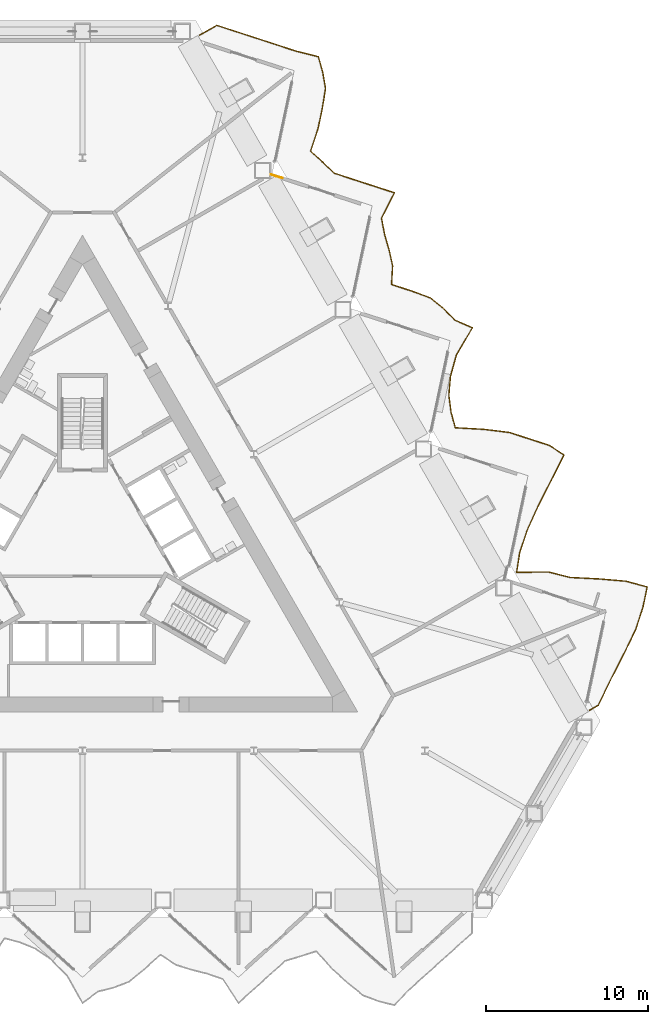
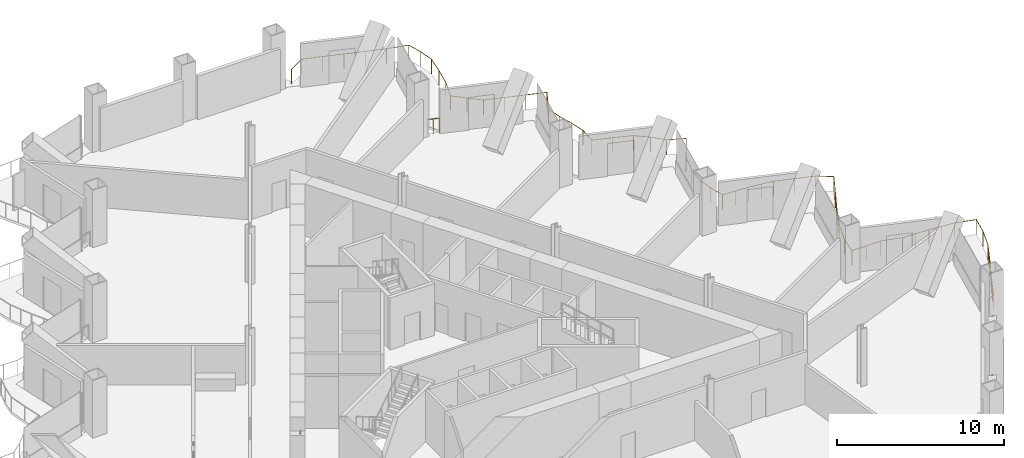
# One storey, part 20 of 22: 2 railings.
"""IFC4 building model written with IfcOpenShell, lengths in metres."""

from ifc_helpers import new_model, si_unit, direction, frame, origin, origin_2d, place, context, subcontext, project, spatial, circle, extrude, material, type_object, element, save


model = new_model("IFC4")

# Units and contexts
model_context = context("Model", 3, precision=1e-05, world=origin(), true_north=direction((0.0, 1.0)))
body_context = subcontext(model_context, "Body", "Model", "MODEL_VIEW")
ifc_project = project(units=[si_unit("LENGTHUNIT", "METRE"), si_unit("AREAUNIT", "SQUARE_METRE"), si_unit("VOLUMEUNIT", "CUBIC_METRE"), si_unit("PLANEANGLEUNIT", "RADIAN"), si_unit("MASSUNIT", "GRAM", prefix="KILO")], contexts=[model_context])

# Site, building, storey
site_placement = place(None, origin())
site = spatial("IfcSite", under=ifc_project, at=site_placement, CompositionType="ELEMENT")
building_placement = place(site_placement, origin())
building = spatial("IfcBuilding", under=site, at=building_placement, Name="Cormorant Prow Tower", CompositionType="ELEMENT")
storey_placement = place(building_placement, frame((0.0, 0.0, 30.0)))
storey = spatial("IfcBuildingStorey", under=building, at=storey_placement, Name="L05", CompositionType="ELEMENT", Elevation=30.0)

# Railings
ifc_material_1 = material(Name="Aluminium 6063-T6", Category="aluminium")
railing_type_1 = type_object("IfcRailingType", Name="Balcony guard 1100", PredefinedType="GUARDRAIL", material=ifc_material_1)
railing_1_placement = place(storey_placement, frame((31.3291015625, -9.726318359375, 0.0)))
element("IfcRailing", 1, at=railing_1_placement, inside=storey, type_object=railing_type_1, Name="Balcony guard ENE", PredefinedType="GUARDRAIL", context=body_context, shape_type="SweptSolid", body=[
    extrude(circle(Radius=0.02392578125, at=origin_2d()), frame((0.0, 0.0, 1.076171875), z_axis=(0.865942655036, 0.500143297656, 0.0), x_axis=(-0.500143297656, 0.865942655036, 0.0)), (0.0, 0.0, 1.0), 0.635986328125),
    extrude(circle(Radius=0.02392578125, at=origin_2d()), frame((0.55078125, 0.318115234375, 1.076171875), z_axis=(0.433209595953, 0.901293207549, 0.0), x_axis=(-0.901293207549, 0.433209595953, 0.0)), (0.0, 0.0, 1.0), 1.708251953125),
    extrude(circle(Radius=0.02392578125, at=origin_2d()), frame((1.290771484375, 1.857666015625, 1.076171875), z_axis=(0.457496743502, 0.889211296422, 0.0), x_axis=(-0.889211296422, 0.457496743502, 0.0)), (0.0, 0.0, 1.0), 1.7802734375),
    extrude(circle(Radius=0.02392578125, at=origin_2d()), frame((2.105224609375, 3.440673828125, 1.076171875), z_axis=(0.437074654476, 0.899425231142, 0.0), x_axis=(-0.899425231142, 0.437074654476, 0.0)), (0.0, 0.0, 1.0), 1.71923828125),
    extrude(circle(Radius=0.02392578125, at=origin_2d()), frame((2.856689453125, 4.987060546875, 1.076171875), z_axis=(0.310176960203, 0.950678838178, 0.0), x_axis=(-0.950678838178, 0.310176960203, 0.0)), (0.0, 0.0, 1.0), 1.44189453125),
    extrude(circle(Radius=0.02392578125, at=origin_2d()), frame((3.303955078125, 6.35791015625, 1.076171875), z_axis=(0.207908306761, 0.978148320031, 0.0), x_axis=(-0.978148320031, 0.207908306761, 0.0)), (0.0, 0.0, 1.0), 1.29638671875),
    extrude(circle(Radius=0.02392578125, at=origin_2d()), frame((3.573486328125, 7.6259765625, 1.076171875), z_axis=(-0.965501304987, 0.260398214412, 0.0), x_axis=(-0.260398214412, -0.965501304987, 0.0)), (0.0, 0.0, 1.0), 1.3603515625),
    extrude(circle(Radius=0.02392578125, at=origin_2d()), frame((2.260009765625, 7.980224609375, 1.076171875), z_axis=(-0.996333593966, 0.085553313992, 0.0), x_axis=(-0.085553313992, -0.996333593966, 0.0)), (0.0, 0.0, 1.0), 1.68359375),
    extrude(circle(Radius=0.02392578125, at=origin_2d()), frame((0.58251953125, 8.124267578125, 1.076171875), z_axis=(-0.998783316969, 0.049314153595, 0.0), x_axis=(-0.049314153595, -0.998783316969, 0.0)), (0.0, 0.0, 1.0), 1.77734375),
    extrude(circle(Radius=0.02392578125, at=origin_2d()), frame((-1.192626953125, 8.2119140625, 1.076171875), z_axis=(-0.968762138829, 0.247991770774, 0.0), x_axis=(-0.247991770774, -0.968762138829, 0.0)), (0.0, 0.0, 1.0), 1.378173828125),
    extrude(circle(Radius=0.02392578125, at=origin_2d()), frame((-2.52783203125, 8.5537109375, 1.076171875), z_axis=(-0.999927590389, -0.012033868023, 0.0), x_axis=(0.012033868023, -0.999927590389, 0.0)), (0.0, 0.0, 1.0), 1.968017578125),
    extrude(circle(Radius=0.02392578125, at=origin_2d()), frame((-4.49560546875, 8.530029296875, 1.076171875), z_axis=(0.151433219563, 0.98846749062, 0.0), x_axis=(-0.98846749062, 0.151433219563, 0.0)), (0.0, 0.0, 1.0), 1.23486328125),
    extrude(circle(Radius=0.02392578125, at=origin_2d()), frame((-4.30859375, 9.750732421875, 1.076171875), z_axis=(0.316832472122, 0.948481515165, 0.0), x_axis=(-0.948481515165, 0.316832472122, 0.0)), (0.0, 0.0, 1.0), 1.453369140625),
    extrude(circle(Radius=0.02392578125, at=origin_2d()), frame((-3.84814453125, 11.129150390625, 1.076171875), z_axis=(0.413591935436, 0.910462361079, 0.0), x_axis=(-0.910462361079, 0.413591935436, 0.0)), (0.0, 0.0, 1.0), 1.65625),
    extrude(circle(Radius=0.02392578125, at=origin_2d()), frame((-3.1630859375, 12.63720703125, 1.076171875), z_axis=(0.454425676399, 0.89078465671, 0.0), x_axis=(-0.89078465671, 0.454425676399, 0.0)), (0.0, 0.0, 1.0), 1.770263671875),
    extrude(circle(Radius=0.02392578125, at=origin_2d()), frame((-2.358642578125, 14.214111328125, 1.076171875), z_axis=(0.449160567011, 0.893451053524, 0.0), x_axis=(-0.893451053524, 0.449160567011, 0.0)), (0.0, 0.0, 1.0), 1.754638671875),
    extrude(circle(Radius=0.02392578125, at=origin_2d()), frame((-1.570556640625, 15.78173828125, 1.076171875), z_axis=(-0.838490048376, 0.544916909973, 0.0), x_axis=(-0.544916909973, -0.838490048376, 0.0)), (0.0, 0.0, 1.0), 1.0810546875),
    extrude(circle(Radius=0.02392578125, at=origin_2d()), frame((-2.47705078125, 16.370849609375, 1.076171875), z_axis=(-0.951065889289, 0.308988145778, 0.0), x_axis=(-0.308988145778, -0.951065889289, 0.0)), (0.0, 0.0, 1.0), 1.296630859375),
    extrude(circle(Radius=0.02392578125, at=origin_2d()), frame((-3.710205078125, 16.771484375, 1.076171875), z_axis=(-0.951065889289, 0.308988145778, 0.0), x_axis=(-0.308988145778, -0.951065889289, 0.0)), (0.0, 0.0, 1.0), 1.296630859375),
    extrude(circle(Radius=0.02392578125, at=origin_2d()), frame((-4.943359375, 17.172119140625, 1.076171875), z_axis=(-0.992549927024, 0.121838591441, 0.0), x_axis=(-0.121838591441, -0.992549927024, 0.0)), (0.0, 0.0, 1.0), 1.60107421875),
    extrude(circle(Radius=0.02392578125, at=origin_2d()), frame((-6.532470703125, 17.3671875, 1.076171875), z_axis=(-0.998435492424, 0.055915717544, 0.0), x_axis=(-0.055915717544, -0.998435492424, 0.0)), (0.0, 0.0, 1.0), 1.759521484375),
    extrude(circle(Radius=0.02392578125, at=origin_2d()), frame((-8.289306640625, 17.465576171875, 1.076171875), z_axis=(-0.262433124838, 0.964950182646, 0.0), x_axis=(-0.964950182646, -0.262433124838, 0.0)), (0.0, 0.0, 1.0), 0.996337890625),
    extrude(circle(Radius=0.02392578125, at=origin_2d()), frame((-8.55078125, 18.427001953125, 1.076171875), z_axis=(-0.128899126816, 0.991657710657, 0.0), x_axis=(-0.991657710657, -0.128899126816, 0.0)), (0.0, 0.0, 1.0), 1.043701171875),
    extrude(circle(Radius=0.02392578125, at=origin_2d()), frame((-8.685302734375, 19.4619140625, 1.076171875), z_axis=(0.081476069747, 0.996675298208, 0.0), x_axis=(-0.996675298208, 0.081476069747, 0.0)), (0.0, 0.0, 1.0), 1.171630859375),
    extrude(circle(Radius=0.02392578125, at=origin_2d()), frame((-8.58984375, 20.629638671875, 1.076171875), z_axis=(0.268247725454, 0.963349966413, 0.0), x_axis=(-0.963349966413, 0.268247725454, 0.0)), (0.0, 0.0, 1.0), 1.376220703125),
    extrude(circle(Radius=0.02392578125, at=origin_2d()), frame((-8.220703125, 21.955322265625, 1.076171875), z_axis=(0.506774332151, 0.862078752941, 0.0), x_axis=(-0.862078752941, 0.506774332151, 0.0)), (0.0, 0.0, 1.0), 1.95361328125),
    extrude(circle(Radius=0.02392578125, at=origin_2d()), frame((-7.230712890625, 23.639404296875, 1.076171875), z_axis=(-0.916143288756, 0.400850937966, 0.0), x_axis=(-0.400850937966, -0.916143288756, 0.0)), (0.0, 0.0, 1.0), 1.19677734375),
    extrude(circle(Radius=0.02392578125, at=origin_2d()), frame((-8.3271484375, 24.119140625, 1.076171875), z_axis=(-0.697460687647, 0.716623045392, 0.0), x_axis=(-0.716623045392, -0.697460687647, 0.0)), (0.0, 0.0, 1.0), 0.99365234375),
    extrude(circle(Radius=0.02392578125, at=origin_2d()), frame((-9.020263671875, 24.831298828125, 1.076171875), z_axis=(-0.775106115273, 0.631831077161, 0.0), x_axis=(-0.631831077161, -0.775106115273, 0.0)), (0.0, 0.0, 1.0), 1.031005859375),
    extrude(circle(Radius=0.02392578125, at=origin_2d()), frame((-9.8193359375, 25.482666015625, 1.076171875), z_axis=(-0.937866283628, 0.346996878998, 0.0), x_axis=(-0.346996878998, -0.937866283628, 0.0)), (0.0, 0.0, 1.0), 1.25244140625),
    extrude(circle(Radius=0.02392578125, at=origin_2d()), frame((-10.993896484375, 25.917236328125, 1.076171875), z_axis=(-0.95112121044, 0.308817815308, 0.0), x_axis=(-0.308817815308, -0.95112121044, 0.0)), (0.0, 0.0, 1.0), 1.296630859375),
    extrude(circle(Radius=0.02392578125, at=origin_2d()), frame((-12.22705078125, 26.317626953125, 1.076171875), z_axis=(0.056983430599, 0.998375124208, 0.0), x_axis=(-0.998375124208, 0.056983430599, 0.0)), (0.0, 0.0, 1.0), 1.152587890625),
    extrude(circle(Radius=0.02392578125, at=origin_2d()), frame((-12.161376953125, 27.46826171875, 1.076171875), z_axis=(-0.217877711911, 0.975976076885, 0.0), x_axis=(-0.975976076885, -0.217877711911, 0.0)), (0.0, 0.0, 1.0), 1.009521484375),
    extrude(circle(Radius=0.02392578125, at=origin_2d()), frame((-12.38134765625, 28.45361328125, 1.076171875), z_axis=(-0.276863799275, 0.960909171905, 0.0), x_axis=(-0.960909171905, -0.276863799275, 0.0)), (0.0, 0.0, 1.0), 0.992919921875),
    extrude(circle(Radius=0.02392578125, at=origin_2d()), frame((-12.65625, 29.40771484375, 1.076171875), z_axis=(-0.187870877698, 0.982193735122, 0.0), x_axis=(-0.982193735122, -0.187870877698, 0.0)), (0.0, 0.0, 1.0), 1.02001953125),
    extrude(circle(Radius=0.02392578125, at=origin_2d()), frame((-12.847900390625, 30.40966796875, 1.076171875), z_axis=(0.452902099451, 0.89156025501, 0.0), x_axis=(-0.89156025501, 0.452902099451, 0.0)), (0.0, 0.0, 1.0), 1.765380859375),
    extrude(circle(Radius=0.02392578125, at=origin_2d()), frame((-12.04833984375, 31.983642578125, 1.076171875), z_axis=(-0.951010544077, 0.30915844652, 0.0), x_axis=(-0.30915844652, -0.951010544077, 0.0)), (0.0, 0.0, 1.0), 1.296630859375),
    extrude(circle(Radius=0.02392578125, at=origin_2d()), frame((-13.281494140625, 32.384521484375, 1.076171875), z_axis=(-0.951103247398, 0.308873133809, 0.0), x_axis=(-0.308873133809, -0.951103247398, 0.0)), (0.0, 0.0, 1.0), 1.29638671875),
    extrude(circle(Radius=0.02392578125, at=origin_2d()), frame((-14.514404296875, 32.784912109375, 1.076171875), z_axis=(-0.951010544077, 0.30915844652, 0.0), x_axis=(-0.30915844652, -0.951010544077, 0.0)), (0.0, 0.0, 1.0), 1.296630859375),
    extrude(circle(Radius=0.02392578125, at=origin_2d()), frame((-15.74755859375, 33.185791015625, 1.076171875), z_axis=(-0.730119203744, 0.683319799452, 0.0), x_axis=(-0.683319799452, -0.730119203744, 0.0)), (0.0, 0.0, 1.0), 1.0068359375),
    extrude(circle(Radius=0.02392578125, at=origin_2d()), frame((-16.482666015625, 33.873779296875, 1.076171875), z_axis=(-0.739972834684, 0.672636754816, 0.0), x_axis=(-0.672636754816, -0.739972834684, 0.0)), (0.0, 0.0, 1.0), 1.011474609375),
    extrude(circle(Radius=0.02392578125, at=origin_2d()), frame((-17.231201171875, 34.55419921875, 1.076171875), z_axis=(0.31476220365, 0.949170561676, 0.0), x_axis=(-0.949170561676, 0.31476220365, 0.0)), (0.0, 0.0, 1.0), 1.44970703125),
    extrude(circle(Radius=0.02392578125, at=origin_2d()), frame((-16.77490234375, 35.93017578125, 1.076171875), z_axis=(0.20787001537, 0.978156458196, 0.0), x_axis=(-0.978156458196, 0.20787001537, 0.0)), (0.0, 0.0, 1.0), 1.296630859375),
    extrude(circle(Radius=0.02392578125, at=origin_2d()), frame((-16.50537109375, 37.198486328125, 1.076171875), z_axis=(0.15846589951, 0.987364450794, 0.0), x_axis=(-0.987364450794, 0.15846589951, 0.0)), (0.0, 0.0, 1.0), 1.24169921875),
    extrude(circle(Radius=0.02392578125, at=origin_2d()), frame((-16.30859375, 38.424560546875, 1.076171875), z_axis=(-0.166709127077, 0.986006119124, 0.0), x_axis=(-0.986006119124, -0.166709127077, 0.0)), (0.0, 0.0, 1.0), 1.028076171875),
    extrude(circle(Radius=0.02392578125, at=origin_2d()), frame((-16.47998046875, 39.438232421875, 1.076171875), z_axis=(-0.27351998335, 0.961866320602, 0.0), x_axis=(-0.961866320602, -0.27351998335, 0.0)), (0.0, 0.0, 1.0), 0.993408203125),
    extrude(circle(Radius=0.02392578125, at=origin_2d()), frame((-16.751708984375, 40.393798828125, 1.076171875), z_axis=(-0.970493235257, 0.241128348231, 0.0), x_axis=(-0.241128348231, -0.970493235257, 0.0)), (0.0, 0.0, 1.0), 1.38818359375),
    extrude(circle(Radius=0.02392578125, at=origin_2d()), frame((-18.098876953125, 40.728515625, 1.076171875), z_axis=(-0.951010544077, 0.30915844652, 0.0), x_axis=(-0.30915844652, -0.951010544077, 0.0)), (0.0, 0.0, 1.0), 1.296630859375),
    extrude(circle(Radius=0.02392578125, at=origin_2d()), frame((-19.33203125, 41.12939453125, 1.076171875), z_axis=(-0.951065889289, 0.308988145778, 0.0), x_axis=(-0.308988145778, -0.951065889289, 0.0)), (0.0, 0.0, 1.0), 1.296630859375),
    extrude(circle(Radius=0.02392578125, at=origin_2d()), frame((-20.565185546875, 41.530029296875, 1.076171875), z_axis=(-0.951047907473, 0.309043488349, 0.0), x_axis=(-0.309043488349, -0.951047907473, 0.0)), (0.0, 0.0, 1.0), 1.29638671875),
    extrude(circle(Radius=0.02392578125, at=origin_2d()), frame((-21.798095703125, 41.9306640625, 1.076171875), z_axis=(-0.951065889289, 0.308988145778, 0.0), x_axis=(-0.308988145778, -0.951065889289, 0.0)), (0.0, 0.0, 1.0), 1.296630859375),
    extrude(circle(Radius=0.02392578125, at=origin_2d()), frame((-23.03125, 42.331298828125, 1.076171875), z_axis=(-0.866005645448, -0.500034220881, 0.0), x_axis=(0.500034220881, -0.866005645448, 0.0)), (0.0, 0.0, 1.0), 1.22021484375),
    extrude(circle(Radius=0.02099609375, at=origin_2d()), origin(), (0.0, 0.0, 1.0), 1.052001953125),
    extrude(circle(Radius=0.02099609375, at=origin_2d()), frame((0.55078125, 0.318115234375, 0.0)), (0.0, 0.0, 1.0), 1.052001953125),
    extrude(circle(Radius=0.02099609375, at=origin_2d()), frame((0.9208984375, 1.087890625, 0.0)), (0.0, 0.0, 1.0), 1.052001953125),
    extrude(circle(Radius=0.02099609375, at=origin_2d()), frame((1.290771484375, 1.857666015625, 0.0)), (0.0, 0.0, 1.0), 1.052001953125),
    extrude(circle(Radius=0.02099609375, at=origin_2d()), frame((1.697998046875, 2.649169921875, 0.0)), (0.0, 0.0, 1.0), 1.052001953125),
    extrude(circle(Radius=0.02099609375, at=origin_2d()), frame((2.105224609375, 3.440673828125, 0.0)), (0.0, 0.0, 1.0), 1.052001953125),
    extrude(circle(Radius=0.02099609375, at=origin_2d()), frame((2.48095703125, 4.2138671875, 0.0)), (0.0, 0.0, 1.0), 1.052001953125),
    extrude(circle(Radius=0.02099609375, at=origin_2d()), frame((2.856689453125, 4.987060546875, 0.0)), (0.0, 0.0, 1.0), 1.052001953125),
    extrude(circle(Radius=0.02099609375, at=origin_2d()), frame((3.303955078125, 6.35791015625, 0.0)), (0.0, 0.0, 1.0), 1.052001953125),
    extrude(circle(Radius=0.02099609375, at=origin_2d()), frame((3.573486328125, 7.6259765625, 0.0)), (0.0, 0.0, 1.0), 1.052001953125),
    extrude(circle(Radius=0.02099609375, at=origin_2d()), frame((2.260009765625, 7.980224609375, 0.0)), (0.0, 0.0, 1.0), 1.052001953125),
    extrude(circle(Radius=0.02099609375, at=origin_2d()), frame((1.42138671875, 8.05224609375, 0.0)), (0.0, 0.0, 1.0), 1.052001953125),
    extrude(circle(Radius=0.02099609375, at=origin_2d()), frame((0.58251953125, 8.124267578125, 0.0)), (0.0, 0.0, 1.0), 1.052001953125),
    extrude(circle(Radius=0.02099609375, at=origin_2d()), frame((-0.30517578125, 8.16796875, 0.0)), (0.0, 0.0, 1.0), 1.052001953125),
    extrude(circle(Radius=0.02099609375, at=origin_2d()), frame((-1.192626953125, 8.2119140625, 0.0)), (0.0, 0.0, 1.0), 1.052001953125),
    extrude(circle(Radius=0.02099609375, at=origin_2d()), frame((-2.52783203125, 8.5537109375, 0.0)), (0.0, 0.0, 1.0), 1.052001953125),
    extrude(circle(Radius=0.02099609375, at=origin_2d()), frame((-3.51171875, 8.5419921875, 0.0)), (0.0, 0.0, 1.0), 1.052001953125),
    extrude(circle(Radius=0.02099609375, at=origin_2d()), frame((-4.49560546875, 8.530029296875, 0.0)), (0.0, 0.0, 1.0), 1.052001953125),
    extrude(circle(Radius=0.02099609375, at=origin_2d()), frame((-4.30859375, 9.750732421875, 0.0)), (0.0, 0.0, 1.0), 1.052001953125),
    extrude(circle(Radius=0.02099609375, at=origin_2d()), frame((-3.84814453125, 11.129150390625, 0.0)), (0.0, 0.0, 1.0), 1.052001953125),
    extrude(circle(Radius=0.02099609375, at=origin_2d()), frame((-3.505615234375, 11.88330078125, 0.0)), (0.0, 0.0, 1.0), 1.052001953125),
    extrude(circle(Radius=0.02099609375, at=origin_2d()), frame((-3.1630859375, 12.63720703125, 0.0)), (0.0, 0.0, 1.0), 1.052001953125),
    extrude(circle(Radius=0.02099609375, at=origin_2d()), frame((-2.7607421875, 13.42578125, 0.0)), (0.0, 0.0, 1.0), 1.052001953125),
    extrude(circle(Radius=0.02099609375, at=origin_2d()), frame((-2.358642578125, 14.214111328125, 0.0)), (0.0, 0.0, 1.0), 1.052001953125),
    extrude(circle(Radius=0.02099609375, at=origin_2d()), frame((-1.964599609375, 14.998046875, 0.0)), (0.0, 0.0, 1.0), 1.052001953125),
    extrude(circle(Radius=0.02099609375, at=origin_2d()), frame((-1.570556640625, 15.78173828125, 0.0)), (0.0, 0.0, 1.0), 1.052001953125),
    extrude(circle(Radius=0.02099609375, at=origin_2d()), frame((-2.47705078125, 16.370849609375, 0.0)), (0.0, 0.0, 1.0), 1.052001953125),
    extrude(circle(Radius=0.02099609375, at=origin_2d()), frame((-3.710205078125, 16.771484375, 0.0)), (0.0, 0.0, 1.0), 1.052001953125),
    extrude(circle(Radius=0.02099609375, at=origin_2d()), frame((-4.943359375, 17.172119140625, 0.0)), (0.0, 0.0, 1.0), 1.052001953125),
    extrude(circle(Radius=0.02099609375, at=origin_2d()), frame((-5.73779296875, 17.26953125, 0.0)), (0.0, 0.0, 1.0), 1.052001953125),
    extrude(circle(Radius=0.02099609375, at=origin_2d()), frame((-6.532470703125, 17.3671875, 0.0)), (0.0, 0.0, 1.0), 1.052001953125),
    extrude(circle(Radius=0.02099609375, at=origin_2d()), frame((-7.410888671875, 17.41650390625, 0.0)), (0.0, 0.0, 1.0), 1.052001953125),
    extrude(circle(Radius=0.02099609375, at=origin_2d()), frame((-8.289306640625, 17.465576171875, 0.0)), (0.0, 0.0, 1.0), 1.052001953125),
    extrude(circle(Radius=0.02099609375, at=origin_2d()), frame((-8.55078125, 18.427001953125, 0.0)), (0.0, 0.0, 1.0), 1.052001953125),
    extrude(circle(Radius=0.02099609375, at=origin_2d()), frame((-8.685302734375, 19.4619140625, 0.0)), (0.0, 0.0, 1.0), 1.052001953125),
    extrude(circle(Radius=0.02099609375, at=origin_2d()), frame((-8.58984375, 20.629638671875, 0.0)), (0.0, 0.0, 1.0), 1.052001953125),
    extrude(circle(Radius=0.02099609375, at=origin_2d()), frame((-8.220703125, 21.955322265625, 0.0)), (0.0, 0.0, 1.0), 1.052001953125),
    extrude(circle(Radius=0.02099609375, at=origin_2d()), frame((-7.7255859375, 22.79736328125, 0.0)), (0.0, 0.0, 1.0), 1.052001953125),
    extrude(circle(Radius=0.02099609375, at=origin_2d()), frame((-7.230712890625, 23.639404296875, 0.0)), (0.0, 0.0, 1.0), 1.052001953125),
    extrude(circle(Radius=0.02099609375, at=origin_2d()), frame((-8.3271484375, 24.119140625, 0.0)), (0.0, 0.0, 1.0), 1.052001953125),
    extrude(circle(Radius=0.02099609375, at=origin_2d()), frame((-9.020263671875, 24.831298828125, 0.0)), (0.0, 0.0, 1.0), 1.052001953125),
    extrude(circle(Radius=0.02099609375, at=origin_2d()), frame((-9.8193359375, 25.482666015625, 0.0)), (0.0, 0.0, 1.0), 1.052001953125),
    extrude(circle(Radius=0.02099609375, at=origin_2d()), frame((-10.993896484375, 25.917236328125, 0.0)), (0.0, 0.0, 1.0), 1.052001953125),
    extrude(circle(Radius=0.02099609375, at=origin_2d()), frame((-12.22705078125, 26.317626953125, 0.0)), (0.0, 0.0, 1.0), 1.052001953125),
    extrude(circle(Radius=0.02099609375, at=origin_2d()), frame((-12.161376953125, 27.46826171875, 0.0)), (0.0, 0.0, 1.0), 1.052001953125),
    extrude(circle(Radius=0.02099609375, at=origin_2d()), frame((-12.38134765625, 28.45361328125, 0.0)), (0.0, 0.0, 1.0), 1.052001953125),
    extrude(circle(Radius=0.02099609375, at=origin_2d()), frame((-12.65625, 29.40771484375, 0.0)), (0.0, 0.0, 1.0), 1.052001953125),
    extrude(circle(Radius=0.02099609375, at=origin_2d()), frame((-12.847900390625, 30.40966796875, 0.0)), (0.0, 0.0, 1.0), 1.052001953125),
    extrude(circle(Radius=0.02099609375, at=origin_2d()), frame((-12.4482421875, 31.19677734375, 0.0)), (0.0, 0.0, 1.0), 1.052001953125),
    extrude(circle(Radius=0.02099609375, at=origin_2d()), frame((-12.04833984375, 31.983642578125, 0.0)), (0.0, 0.0, 1.0), 1.052001953125),
    extrude(circle(Radius=0.02099609375, at=origin_2d()), frame((-13.281494140625, 32.384521484375, 0.0)), (0.0, 0.0, 1.0), 1.052001953125),
    extrude(circle(Radius=0.02099609375, at=origin_2d()), frame((-14.514404296875, 32.784912109375, 0.0)), (0.0, 0.0, 1.0), 1.052001953125),
    extrude(circle(Radius=0.02099609375, at=origin_2d()), frame((-15.74755859375, 33.185791015625, 0.0)), (0.0, 0.0, 1.0), 1.052001953125),
    extrude(circle(Radius=0.02099609375, at=origin_2d()), frame((-16.482666015625, 33.873779296875, 0.0)), (0.0, 0.0, 1.0), 1.052001953125),
    extrude(circle(Radius=0.02099609375, at=origin_2d()), frame((-17.231201171875, 34.55419921875, 0.0)), (0.0, 0.0, 1.0), 1.052001953125),
    extrude(circle(Radius=0.02099609375, at=origin_2d()), frame((-16.77490234375, 35.93017578125, 0.0)), (0.0, 0.0, 1.0), 1.052001953125),
    extrude(circle(Radius=0.02099609375, at=origin_2d()), frame((-16.50537109375, 37.198486328125, 0.0)), (0.0, 0.0, 1.0), 1.052001953125),
    extrude(circle(Radius=0.02099609375, at=origin_2d()), frame((-16.30859375, 38.424560546875, 0.0)), (0.0, 0.0, 1.0), 1.052001953125),
    extrude(circle(Radius=0.02099609375, at=origin_2d()), frame((-16.47998046875, 39.438232421875, 0.0)), (0.0, 0.0, 1.0), 1.052001953125),
    extrude(circle(Radius=0.02099609375, at=origin_2d()), frame((-16.751708984375, 40.393798828125, 0.0)), (0.0, 0.0, 1.0), 1.052001953125),
    extrude(circle(Radius=0.02099609375, at=origin_2d()), frame((-18.098876953125, 40.728515625, 0.0)), (0.0, 0.0, 1.0), 1.052001953125),
    extrude(circle(Radius=0.02099609375, at=origin_2d()), frame((-19.33203125, 41.12939453125, 0.0)), (0.0, 0.0, 1.0), 1.052001953125),
    extrude(circle(Radius=0.02099609375, at=origin_2d()), frame((-20.565185546875, 41.530029296875, 0.0)), (0.0, 0.0, 1.0), 1.052001953125),
    extrude(circle(Radius=0.02099609375, at=origin_2d()), frame((-21.798095703125, 41.9306640625, 0.0)), (0.0, 0.0, 1.0), 1.052001953125),
    extrude(circle(Radius=0.02099609375, at=origin_2d()), frame((-23.03125, 42.331298828125, 0.0)), (0.0, 0.0, 1.0), 1.052001953125),
    extrude(circle(Radius=0.02099609375, at=origin_2d()), frame((-24.087890625, 41.72119140625, 0.0)), (0.0, 0.0, 1.0), 1.052001953125),
])
ifc_material_2 = material(Name="Stainless steel", Category="steel")
railing_type_2 = type_object("IfcRailingType", Name="Facade corner guard 1100", PredefinedType="GUARDRAIL", material=ifc_material_2)
railing_2_placement = place(storey_placement, frame((11.65576171875, 23.37939453125, 0.0)))
element("IfcRailing", 2, at=railing_2_placement, inside=storey, type_object=railing_type_2, Name="Facade corner guard L05 4", PredefinedType="GUARDRAIL", context=body_context, shape_type="SweptSolid", body=[
    extrude(circle(Radius=0.02392578125, at=origin_2d()), frame((0.0, 0.0, 1.076171875), z_axis=(0.948884995135, -0.315622030297, 0.0), x_axis=(0.315622030297, 0.948884995135, 0.0)), (0.0, 0.0, 1.0), 0.36279296875),
    extrude(circle(Radius=0.02392578125, at=origin_2d()), frame((0.34423828125, -0.114501953125, 1.076171875), z_axis=(0.959895265627, -0.280358839752, 0.0), x_axis=(0.280358839752, 0.959895265627, 0.0)), (0.0, 0.0, 1.0), 0.36572265625),
    extrude(circle(Radius=0.02099609375, at=origin_2d()), origin(), (0.0, 0.0, 1.0), 1.052001953125),
    extrude(circle(Radius=0.02099609375, at=origin_2d()), frame((0.34423828125, -0.114501953125, 0.0)), (0.0, 0.0, 1.0), 1.052001953125),
    extrude(circle(Radius=0.02099609375, at=origin_2d()), frame((0.6953125, -0.217041015625, 0.0)), (0.0, 0.0, 1.0), 1.052001953125),
])

save(model, "model.ifc")
